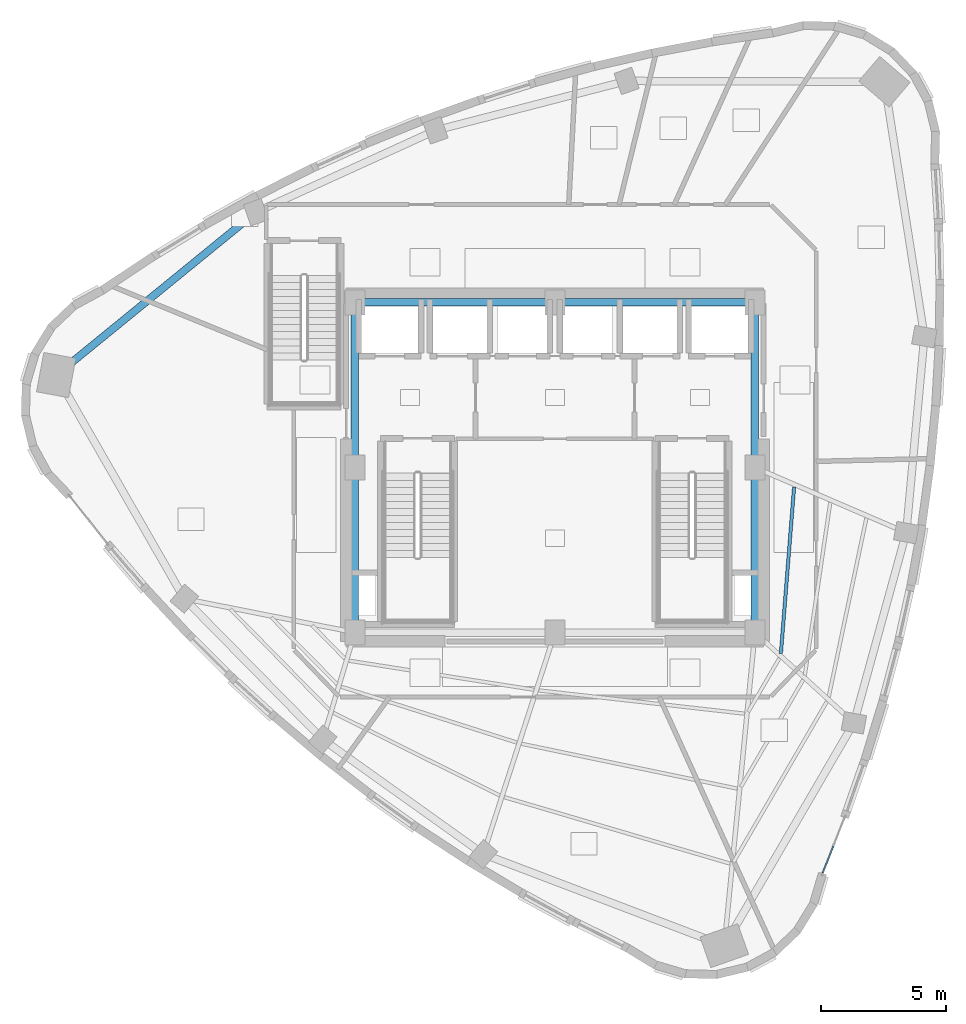
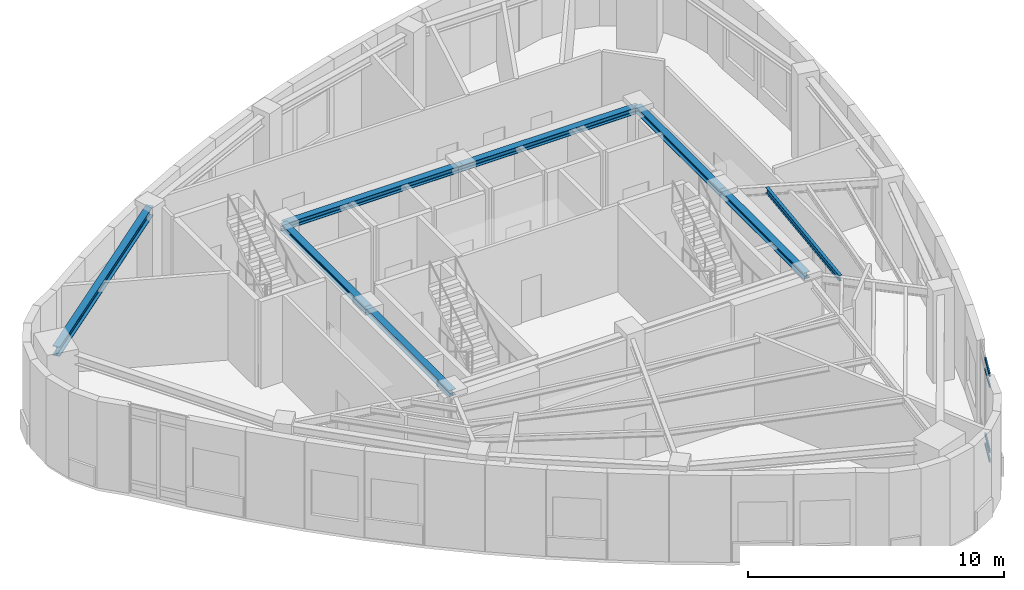
# One storey, part 5 of 13: 8 beams, 4 members, 1 element without a shape of its own.
"""IFC4 building model written with IfcOpenShell, lengths in metres."""

from ifc_helpers import new_model, si_unit, direction, frame, origin, origin_2d, place, context, subcontext, project, spatial, hollow_rectangle, i_section, extrude, material, layer, layer_set, material_profile, profile_set, type_object, element, aggregate, save


model = new_model("IFC4")

# Units and contexts
model_context = context("Model", 3, precision=1e-05, world=origin(), true_north=direction((0.0, 1.0)))
body_context = subcontext(model_context, "Body", "Model", "MODEL_VIEW")
ifc_project = project(units=[si_unit("LENGTHUNIT", "METRE"), si_unit("AREAUNIT", "SQUARE_METRE"), si_unit("VOLUMEUNIT", "CUBIC_METRE"), si_unit("PLANEANGLEUNIT", "RADIAN"), si_unit("MASSUNIT", "GRAM", prefix="KILO")], contexts=[model_context])

# Site, building, storey
site_placement = place(None, origin())
site = spatial("IfcSite", under=ifc_project, at=site_placement, CompositionType="ELEMENT")
building_placement = place(site_placement, origin())
building = spatial("IfcBuilding", under=site, at=building_placement, Name="Ndelora Gate Hotel", CompositionType="ELEMENT")
storey_placement = place(building_placement, frame((0.0, 0.0, 272.800048828125)))
storey = spatial("IfcBuildingStorey", under=building, at=storey_placement, Name="L68", CompositionType="ELEMENT", Elevation=272.800048828125)

# Beams
ifc_material_1 = material(Name="Steel S355", Category="steel")
ifc_material_profile_1 = material_profile(ifc_material_1, i_section(OverallWidth=0.300048828125, OverallDepth=0.300048828125, WebThickness=0.010986328125, FlangeThickness=0.01904296875, FilletRadius=0.027099609375, at=origin_2d()), Name="HEB 300")
ifc_profile_set_1 = profile_set([ifc_material_profile_1], Name="Steel S355")
beam_type_1 = type_object("IfcBeamType", Name="BM-CORE-300", PredefinedType="BEAM", material=ifc_profile_set_1)
for number, where, z_axis, x_axis, name in (
    (1, (-8.0, 6.60009765625, 4.0), (1.0, 0.0, 0.0), (0.0, 1.0, 0.0), "L68 Core Tie Girder CC7-CC6"),
    (2, (0.0, 6.60009765625, 4.0), (1.0, 0.0, 0.0), (0.0, 1.0, 0.0), "L68 Core Tie Girder CC6-CC5"),
):
    element("IfcBeam", number, at=place(storey_placement, frame(where, z_axis=z_axis, x_axis=x_axis)), inside=storey, type_object=beam_type_1, Name=name, PredefinedType="BEAM", context=body_context, shape_type="SweptSolid", body=[
        extrude(i_section(OverallWidth=0.300048828125, OverallDepth=0.300048828125, WebThickness=0.010986328125, FlangeThickness=0.01904296875, FilletRadius=0.027099609375, at=origin_2d()), origin(), (0.0, 0.0, 1.0), 8.0),
    ])
for number, where, z_axis, x_axis, name in (
    (3, (-8.0, -6.60009765625, 4.0), (0.0, 1.0, 0.0), (-1.0, 0.0, 0.0), "L68 Core Tie Girder CC1-CC8"),
    (4, (-8.0, 0.0, 4.0), (0.0, 1.0, 0.0), (-1.0, 0.0, 0.0), "L68 Core Tie Girder CC8-CC7"),
    (5, (8.0, -6.60009765625, 4.0), (0.0, 1.0, 0.0), (-1.0, 0.0, 0.0), "L68 Core Tie Girder CC3-CC4"),
    (6, (8.0, 0.0, 4.0), (0.0, 1.0, 0.0), (-1.0, 0.0, 0.0), "L68 Core Tie Girder CC4-CC5"),
):
    element("IfcBeam", number, at=place(storey_placement, frame(where, z_axis=z_axis, x_axis=x_axis)), inside=storey, type_object=beam_type_1, Name=name, PredefinedType="BEAM", context=body_context, shape_type="SweptSolid", body=[
        extrude(i_section(OverallWidth=0.300048828125, OverallDepth=0.300048828125, WebThickness=0.010986328125, FlangeThickness=0.01904296875, FilletRadius=0.027099609375, at=origin_2d()), origin(), (0.0, 0.0, 1.0), 6.60009765625),
    ])
ifc_material_profile_2 = material_profile(ifc_material_1, i_section(OverallWidth=0.135009765625, OverallDepth=0.27001953125, WebThickness=0.006591796875, FlangeThickness=0.01025390625, FilletRadius=0.014892578125, at=origin_2d()), Name="IPE 270")
ifc_profile_set_2 = profile_set([ifc_material_profile_2], Name="Steel S355")
beam_type_2 = type_object("IfcBeamType", Name="BM-JST-270", PredefinedType="JOIST", material=ifc_profile_set_2)
beam_1_placement = place(storey_placement, frame((9.03662109375, -7.439453125, 4.014892578125), z_axis=(0.079081730742, 0.996868135644, 0.0), x_axis=(-0.996868135644, 0.079081730742, 0.0)))
element("IfcBeam", 7, at=beam_1_placement, inside=storey, type_object=beam_type_2, Name="L68 Secondary Composite Floor Joist IN-6", PredefinedType="JOIST", context=body_context, shape_type="SweptSolid", body=[
    extrude(i_section(OverallWidth=0.135009765625, OverallDepth=0.27001953125, WebThickness=0.006591796875, FlangeThickness=0.01025390625, FilletRadius=0.014892578125, at=origin_2d()), origin(), (0.0, 0.0, 1.0), 6.683837890625),
])
ifc_material_profile_3 = material_profile(ifc_material_1, i_section(OverallWidth=0.300048828125, OverallDepth=0.449951171875, WebThickness=0.013916015625, FlangeThickness=0.02587890625, FilletRadius=0.027099609375, at=origin_2d()), Name="HEB 450")
ifc_profile_set_3 = profile_set([ifc_material_profile_3], Name="Steel S355")
beam_type_3 = type_object("IfcBeamType", Name="BM-RING-450", PredefinedType="SPANDREL", material=ifc_profile_set_3)
beam_2_placement = place(storey_placement, frame((-11.956787109375, 10.212158203125, 3.925048828125), z_axis=(-0.775154250258, -0.631772022416, 0.0), x_axis=(0.631772022416, -0.775154250258, 0.0)))
element("IfcBeam", 8, at=beam_2_placement, inside=storey, type_object=beam_type_3, Name="L68 Perimeter Spandrel Girder 12", PredefinedType="SPANDREL", context=body_context, shape_type="SweptSolid", body=[
    extrude(i_section(OverallWidth=0.300048828125, OverallDepth=0.449951171875, WebThickness=0.013916015625, FlangeThickness=0.02587890625, FilletRadius=0.027099609375, at=origin_2d()), origin(), (0.0, 0.0, 1.0), 10.311767578125),
])

# Curtain wall, members
ifc_material_2 = material(Name="Bronze Anodised Unitised Aluminium and Low-E Glass", Category="aluminium")
ifc_layer = layer(ifc_material_2, 0.219970703125)
ifc_layer_set = layer_set([ifc_layer], Name="Bronze Anodised Unitised Aluminium and Low-E Glass")
curtain_wall_type = type_object("IfcCurtainWallType", Name="CW-SYS-6", PredefinedType="NOTDEFINED", material=ifc_layer_set)
curtain_wall_placement = place(storey_placement, origin())
curtain_wall = element("IfcCurtainWall", 9, at=curtain_wall_placement, inside=storey, type_object=curtain_wall_type, Name="L68 Crown Sky-Restaurant & Cocktail Bar Curtain Wall 2", PredefinedType="NOTDEFINED")
ifc_material_3 = material(Name="Bronze Anodised Aluminium 6063-T6", Category="aluminium")
ifc_material_profile_4 = material_profile(ifc_material_3, hollow_rectangle(XDim=0.06494140625, YDim=0.159912109375, WallThickness=0.00390625, InnerFilletRadius=0.00390625, OuterFilletRadius=0.008056640625, at=origin_2d()), Name="ALU 160x65x4")
ifc_profile_set_4 = profile_set([ifc_material_profile_4], Name="Bronze Anodised Aluminium 6063-T6")
member_type = type_object("IfcMemberType", Name="MB-CW-TRN150", PredefinedType="USERDEFINED", material=ifc_profile_set_4)
member_1_placement = place(storey_placement, frame((10.708251953125, -16.222900390625, 0.032470703125), z_axis=(0.367658889371, 0.929960720174, 0.0), x_axis=(-0.929960720174, 0.367658889371, 0.0)))
member_1 = element("IfcMember", 10, at=member_1_placement, type_object=member_type, Name="CW6 transom 1.1", ObjectType="TRANSOM", PredefinedType="USERDEFINED", context=body_context, shape_type="SweptSolid", body=[
    extrude(hollow_rectangle(XDim=0.06494140625, YDim=0.159912109375, WallThickness=0.00390625, InnerFilletRadius=0.00390625, OuterFilletRadius=0.008056640625, at=origin_2d()), origin(), (0.0, 0.0, 1.0), 1.162841796875),
])
member_2_placement = place(storey_placement, frame((10.708251953125, -16.222900390625, 0.5), z_axis=(0.367658889371, 0.929960720174, 0.0), x_axis=(-0.929960720174, 0.367658889371, 0.0)))
member_2 = element("IfcMember", 11, at=member_2_placement, type_object=member_type, Name="CW6 transom 1.2", ObjectType="TRANSOM", PredefinedType="USERDEFINED", context=body_context, shape_type="SweptSolid", body=[
    extrude(hollow_rectangle(XDim=0.06494140625, YDim=0.159912109375, WallThickness=0.00390625, InnerFilletRadius=0.00390625, OuterFilletRadius=0.008056640625, at=origin_2d()), origin(), (0.0, 0.0, 1.0), 1.162841796875),
])
member_3_placement = place(storey_placement, frame((10.708251953125, -16.222900390625, 3.599853515625), z_axis=(0.367658889371, 0.929960720174, 0.0), x_axis=(-0.929960720174, 0.367658889371, 0.0)))
member_3 = element("IfcMember", 12, at=member_3_placement, type_object=member_type, Name="CW6 transom 1.3", ObjectType="TRANSOM", PredefinedType="USERDEFINED", context=body_context, shape_type="SweptSolid", body=[
    extrude(hollow_rectangle(XDim=0.06494140625, YDim=0.159912109375, WallThickness=0.00390625, InnerFilletRadius=0.00390625, OuterFilletRadius=0.008056640625, at=origin_2d()), origin(), (0.0, 0.0, 1.0), 1.162841796875),
])
member_4_placement = place(storey_placement, frame((10.708251953125, -16.222900390625, 4.117431640625), z_axis=(0.367658889371, 0.929960720174, 0.0), x_axis=(-0.929960720174, 0.367658889371, 0.0)))
member_4 = element("IfcMember", 13, at=member_4_placement, type_object=member_type, Name="CW6 transom 1.4", ObjectType="TRANSOM", PredefinedType="USERDEFINED", context=body_context, shape_type="SweptSolid", body=[
    extrude(hollow_rectangle(XDim=0.06494140625, YDim=0.159912109375, WallThickness=0.00390625, InnerFilletRadius=0.00390625, OuterFilletRadius=0.008056640625, at=origin_2d()), origin(), (0.0, 0.0, 1.0), 1.162841796875),
])
aggregate(curtain_wall, [member_1, member_2, member_3, member_4])

save(model, "model.ifc")
